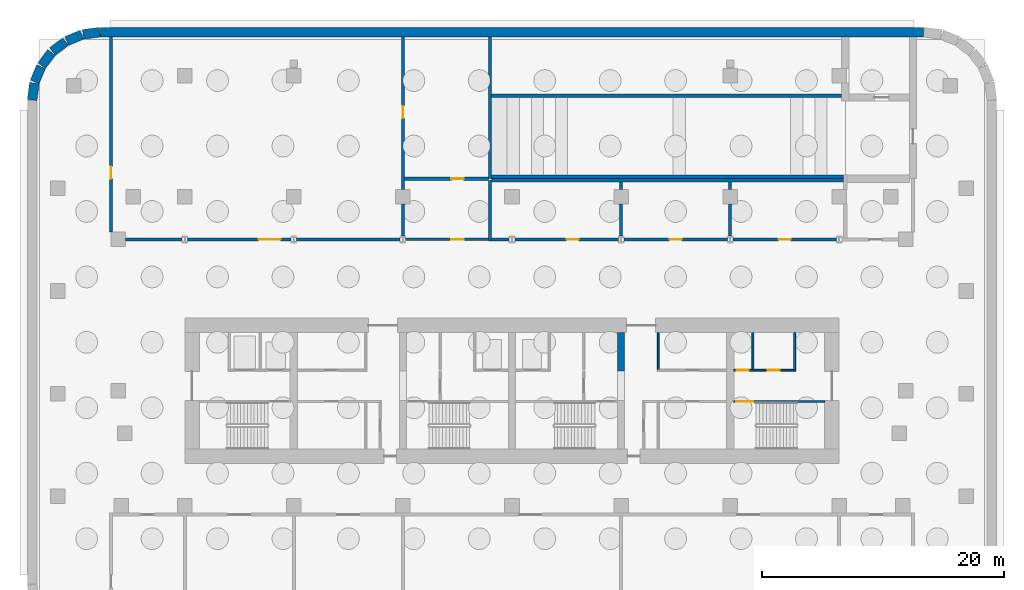
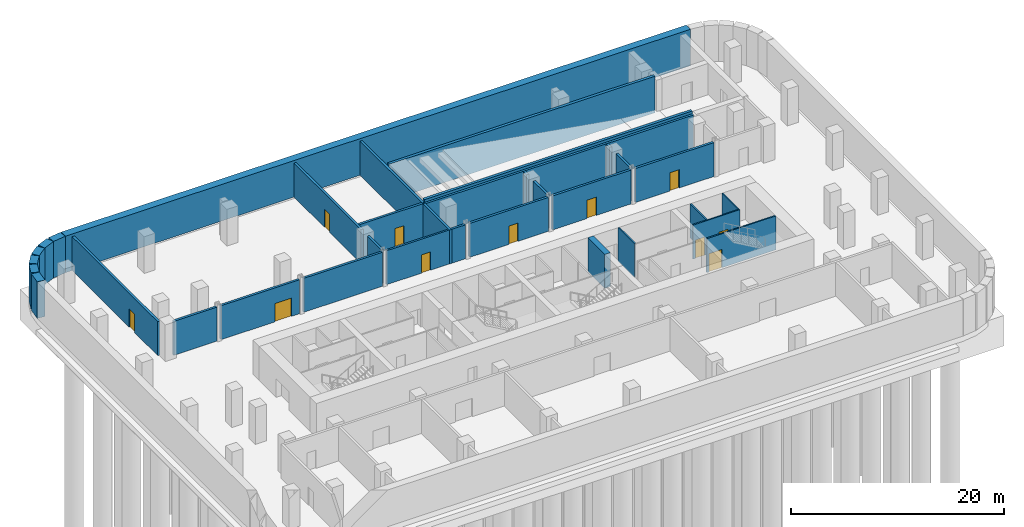
# One storey, part 5 of 8: 34 walls, 11 doors, 11 openings.
"""IFC4 building model written with IfcOpenShell, lengths in metres."""

from ifc_helpers import new_model, si_unit, direction, frame, frame_2d, origin, place, context, subcontext, project, spatial, rectangle, extrude, material, layer, layer_set, type_object, element, fill, save


model = new_model("IFC4")

# Units and contexts
model_context = context("Model", 3, precision=1e-05, world=origin(), true_north=direction((0.0, 1.0)))
body_context = subcontext(model_context, "Body", "Model", "MODEL_VIEW")
ifc_project = project(units=[si_unit("LENGTHUNIT", "METRE"), si_unit("AREAUNIT", "SQUARE_METRE"), si_unit("VOLUMEUNIT", "CUBIC_METRE"), si_unit("PLANEANGLEUNIT", "RADIAN"), si_unit("MASSUNIT", "GRAM", prefix="KILO")], contexts=[model_context])

# Site, building, storey
site_placement = place(None, origin())
site = spatial("IfcSite", under=ifc_project, at=site_placement, CompositionType="ELEMENT")
building_placement = place(site_placement, origin())
building = spatial("IfcBuilding", under=site, at=building_placement, Name="Zellij Exchange Tower", CompositionType="ELEMENT")
storey_placement = place(building_placement, frame((0.0, 0.0, -12.60009765625)))
storey = spatial("IfcBuildingStorey", under=building, at=storey_placement, Name="B3", CompositionType="ELEMENT", Elevation=-12.60009765625)

# Walls
ifc_material_1 = material(Name="Concrete C40/50", Category="concrete")
ifc_layer_1 = layer(ifc_material_1, 0.300048828125)
ifc_layer_set_1 = layer_set([ifc_layer_1], Name="Concrete C40/50")
wall_type_1 = type_object("IfcWallType", Name="BSM-Ramp wall 300", PredefinedType="SOLIDWALL", material=ifc_layer_set_1)
wall_1_placement = place(storey_placement, frame((-1.699951171875, 9.64990234375, 0.0), z_axis=(0.0, 0.0, 1.0), x_axis=(1.0, 0.0, 0.0)))
element("IfcWall", 1, at=wall_1_placement, inside=storey, type_object=wall_type_1, Name="Car park ramp side wall", PredefinedType="SOLIDWALL", context=body_context, shape_type="SweptSolid", body=[
    extrude(rectangle(XDim=29.074951171875, YDim=0.300048828125, at=frame_2d((14.53759765625, 0.0))), origin(), (0.0, 0.0, 1.0), 4.2001953125),
])
wall_2_placement = place(storey_placement, frame((-1.699951171875, 16.35009765625, 0.0), z_axis=(0.0, 0.0, 1.0), x_axis=(1.0, 0.0, 0.0)))
element("IfcWall", 2, at=wall_2_placement, inside=storey, type_object=wall_type_1, Name="Car park ramp side wall", PredefinedType="SOLIDWALL", context=body_context, shape_type="SweptSolid", body=[
    extrude(rectangle(XDim=28.89990234375, YDim=0.300048828125, at=frame_2d((14.449951171875, 0.0))), origin(), (0.0, 0.0, 1.0), 4.2001953125),
])

# Wall, opening, door
ifc_material_2 = material(Name="Concrete C32/40", Category="concrete")
ifc_layer_2 = layer(ifc_material_2, 0.199951171875)
ifc_layer_set_2 = layer_set([ifc_layer_2], Name="Concrete C32/40")
wall_type_2 = type_object("IfcWallType", Name="BSM-Wall 200", PredefinedType="PARTITIONING", material=ifc_layer_set_2)
wall_3_placement = place(storey_placement, frame((-8.772705078125, 4.5, 0.0), z_axis=(0.0, 0.0, 1.0), x_axis=(1.0, 0.0, 0.0)))
wall_3 = element("IfcWall", 3, at=wall_3_placement, inside=storey, type_object=wall_type_2, Name="Partition 5", PredefinedType="PARTITIONING", context=body_context, shape_type="SweptSolid", body=[
    extrude(rectangle(XDim=6.82275390625, YDim=0.199951171875, at=frame_2d((3.411376953125, 0.0))), origin(), (0.0, 0.0, 1.0), 3.900146484375),
])
opening_1_placement = place(wall_3_placement, frame((3.772705078125, 0.0, 0.0)))
opening_1 = element("IfcOpeningElement", 4, at=opening_1_placement, cuts=wall_3, Name="Opening BS3.08", PredefinedType="OPENING", context=body_context, shape_type="SweptSolid", body=[
    extrude(rectangle(XDim=1.0, YDim=2.10009765625, at=frame_2d((0.5, 1.050048828125))), frame((0.0, 0.11181640625, 0.0), z_axis=(0.0, -1.0, 0.0), x_axis=(1.0, 0.0, 0.0)), (0.0, 0.0, 1.0), 0.223876953125),
])
ifc_material_3 = material(Name="Painted steel door leaf", Category="steel")
door_type_1 = type_object("IfcDoorType", Name="BSM-Door 1000x2100 FD60", OperationType="SINGLE_SWING_LEFT", PredefinedType="DOOR", material=ifc_material_3)
door_1_placement = place(opening_1_placement, origin())
door_1 = element("IfcDoor", 5, at=door_1_placement, inside=storey, type_object=door_type_1, Name="bsm.B3.door.BS3.08", OperationType="SINGLE_SWING_RIGHT", OverallHeight=2.10009765625, OverallWidth=1.0, PredefinedType="DOOR", context=body_context, shape_type="SweptSolid", body=[
    extrude(rectangle(XDim=1.0, YDim=2.10009765625, at=frame_2d((0.5, 1.050048828125))), frame((0.0, 0.02490234375, 0.0), z_axis=(0.0, -1.0, 0.0), x_axis=(1.0, 0.0, 0.0)), (0.0, 0.0, 1.0), 0.050048828125),
])
fill(opening_1, door_1)

# Wall
ifc_layer_3 = layer(ifc_material_2, 0.25)
ifc_layer_set_3 = layer_set([ifc_layer_3], Name="Concrete C32/40")
wall_type_3 = type_object("IfcWallType", Name="BSM-Wall 250", PredefinedType="SOLIDWALL", material=ifc_layer_set_3)
wall_4_placement = place(storey_placement, frame((-31.89990234375, 4.5, 0.0), z_axis=(0.0, 0.0, 1.0), x_axis=(1.0, 0.0, 0.0)))
element("IfcWall", 6, at=wall_4_placement, inside=storey, type_object=wall_type_3, Name="Partition 2", PredefinedType="SOLIDWALL", context=body_context, shape_type="SweptSolid", body=[
    extrude(rectangle(XDim=4.672607421875, YDim=0.25, at=frame_2d((2.33642578125, 0.0))), origin(), (0.0, 0.0, 1.0), 3.900146484375),
])

# Wall, opening, door
wall_5_placement = place(storey_placement, frame((-26.772705078125, 4.5, 0.0), z_axis=(0.0, 0.0, 1.0), x_axis=(1.0, 0.0, 0.0)))
wall_5 = element("IfcWall", 7, at=wall_5_placement, inside=storey, type_object=wall_type_3, Name="Partition 3", PredefinedType="SOLIDWALL", context=body_context, shape_type="SweptSolid", body=[
    extrude(rectangle(XDim=8.54541015625, YDim=0.25, at=frame_2d((4.272705078125, 0.0))), origin(), (0.0, 0.0, 1.0), 3.900146484375),
])
opening_2_placement = place(wall_5_placement, frame((5.872802734375, 0.0, 0.0)))
opening_2 = element("IfcOpeningElement", 8, at=opening_2_placement, cuts=wall_5, Name="Opening BS3.07", PredefinedType="OPENING", context=body_context, shape_type="SweptSolid", body=[
    extrude(rectangle(XDim=1.800048828125, YDim=2.10009765625, at=frame_2d((0.89990234375, 1.050048828125))), frame((0.0, 0.136962890625, 0.0), z_axis=(0.0, -1.0, 0.0), x_axis=(1.0, 0.0, 0.0)), (0.0, 0.0, 1.0), 0.27392578125),
])
door_type_2 = type_object("IfcDoorType", Name="BSM-Double door 1800x2100 FD90", OperationType="DOUBLE_DOOR_SINGLE_SWING", PredefinedType="DOOR", material=ifc_material_3)
door_2_placement = place(opening_2_placement, origin())
door_2 = element("IfcDoor", 9, at=door_2_placement, inside=storey, type_object=door_type_2, Name="bsm.B3.door.BS3.07", OperationType="DOUBLE_DOOR_SINGLE_SWING", OverallHeight=2.10009765625, OverallWidth=1.800048828125, PredefinedType="DOOR", context=body_context, shape_type="SweptSolid", body=[
    extrude(rectangle(XDim=1.800048828125, YDim=2.10009765625, at=frame_2d((0.89990234375, 1.050048828125))), frame((0.0, 0.02490234375, 0.0), z_axis=(0.0, -1.0, 0.0), x_axis=(1.0, 0.0, 0.0)), (0.0, 0.0, 1.0), 0.050048828125),
])
fill(opening_2, door_2)

# Walls
wall_6_placement = place(storey_placement, frame((-17.772705078125, 4.5, 0.0), z_axis=(0.0, 0.0, 1.0), x_axis=(1.0, 0.0, 0.0)))
element("IfcWall", 10, at=wall_6_placement, inside=storey, type_object=wall_type_3, Name="Partition 4", PredefinedType="SOLIDWALL", context=body_context, shape_type="SweptSolid", body=[
    extrude(rectangle(XDim=8.54541015625, YDim=0.25, at=frame_2d((4.272705078125, 0.0))), origin(), (0.0, 0.0, 1.0), 3.900146484375),
])
wall_7_placement = place(storey_placement, frame((-1.699951171875, 4.5, 0.0), z_axis=(0.0, 0.0, 1.0), x_axis=(1.0, 0.0, 0.0)))
element("IfcWall", 11, at=wall_7_placement, inside=storey, type_object=wall_type_3, Name="Partition 6", PredefinedType="SOLIDWALL", context=body_context, shape_type="SweptSolid", body=[
    extrude(rectangle(XDim=1.47265625, YDim=0.25, at=frame_2d((0.736328125, 0.0))), origin(), (0.0, 0.0, 1.0), 3.900146484375),
])

# Wall, opening, door
wall_8_placement = place(storey_placement, frame((0.227294921875, 4.5, 0.0), z_axis=(0.0, 0.0, 1.0), x_axis=(1.0, 0.0, 0.0)))
wall_8 = element("IfcWall", 12, at=wall_8_placement, inside=storey, type_object=wall_type_3, Name="Partition 7", PredefinedType="SOLIDWALL", context=body_context, shape_type="SweptSolid", body=[
    extrude(rectangle(XDim=8.54541015625, YDim=0.25, at=frame_2d((4.272705078125, 0.0))), origin(), (0.0, 0.0, 1.0), 3.900146484375),
])
opening_3_placement = place(wall_8_placement, frame((4.272705078125, 0.0, 0.0)))
opening_3 = element("IfcOpeningElement", 13, at=opening_3_placement, cuts=wall_8, Name="Opening BS3.09", PredefinedType="OPENING", context=body_context, shape_type="SweptSolid", body=[
    extrude(rectangle(XDim=1.0, YDim=2.10009765625, at=frame_2d((0.5, 1.050048828125))), frame((0.0, 0.136962890625, 0.0), z_axis=(0.0, -1.0, 0.0), x_axis=(1.0, 0.0, 0.0)), (0.0, 0.0, 1.0), 0.27392578125),
])
door_type_3 = type_object("IfcDoorType", Name="BSM-Door 1000x2100 FD90", OperationType="SINGLE_SWING_LEFT", PredefinedType="DOOR", material=ifc_material_3)
door_3_placement = place(opening_3_placement, origin())
door_3 = element("IfcDoor", 14, at=door_3_placement, inside=storey, type_object=door_type_3, Name="bsm.B3.door.BS3.09", OperationType="SINGLE_SWING_RIGHT", OverallHeight=2.10009765625, OverallWidth=1.0, PredefinedType="DOOR", context=body_context, shape_type="SweptSolid", body=[
    extrude(rectangle(XDim=1.0, YDim=2.10009765625, at=frame_2d((0.5, 1.050048828125))), frame((0.0, 0.02490234375, 0.0), z_axis=(0.0, -1.0, 0.0), x_axis=(1.0, 0.0, 0.0)), (0.0, 0.0, 1.0), 0.050048828125),
])
fill(opening_3, door_3)

wall_9_placement = place(storey_placement, frame((9.227294921875, 4.5, 0.0), z_axis=(0.0, 0.0, 1.0), x_axis=(1.0, 0.0, 0.0)))
wall_9 = element("IfcWall", 15, at=wall_9_placement, inside=storey, type_object=wall_type_3, Name="Partition 8", PredefinedType="SOLIDWALL", context=body_context, shape_type="SweptSolid", body=[
    extrude(rectangle(XDim=8.54541015625, YDim=0.25, at=frame_2d((4.272705078125, 0.0))), origin(), (0.0, 0.0, 1.0), 3.900146484375),
])
opening_4_placement = place(wall_9_placement, frame((3.772705078125, 0.0, 0.0)))
opening_4 = element("IfcOpeningElement", 16, at=opening_4_placement, cuts=wall_9, Name="Opening BS3.10", PredefinedType="OPENING", context=body_context, shape_type="SweptSolid", body=[
    extrude(rectangle(XDim=1.0, YDim=2.10009765625, at=frame_2d((0.5, 1.050048828125))), frame((0.0, 0.136962890625, 0.0), z_axis=(0.0, -1.0, 0.0), x_axis=(1.0, 0.0, 0.0)), (0.0, 0.0, 1.0), 0.27392578125),
])
door_4_placement = place(opening_4_placement, origin())
door_4 = element("IfcDoor", 17, at=door_4_placement, inside=storey, type_object=door_type_3, Name="bsm.B3.door.BS3.10", OperationType="SINGLE_SWING_LEFT", OverallHeight=2.10009765625, OverallWidth=1.0, PredefinedType="DOOR", context=body_context, shape_type="SweptSolid", body=[
    extrude(rectangle(XDim=1.0, YDim=2.10009765625, at=frame_2d((0.5, 1.050048828125))), frame((0.0, 0.02490234375, 0.0), z_axis=(0.0, -1.0, 0.0), x_axis=(1.0, 0.0, 0.0)), (0.0, 0.0, 1.0), 0.050048828125),
])
fill(opening_4, door_4)

wall_10_placement = place(storey_placement, frame((18.227294921875, 4.5, 0.0), z_axis=(0.0, 0.0, 1.0), x_axis=(1.0, 0.0, 0.0)))
wall_10 = element("IfcWall", 18, at=wall_10_placement, inside=storey, type_object=wall_type_3, Name="Partition 9", PredefinedType="SOLIDWALL", context=body_context, shape_type="SweptSolid", body=[
    extrude(rectangle(XDim=8.54541015625, YDim=0.25, at=frame_2d((4.272705078125, 0.0))), origin(), (0.0, 0.0, 1.0), 3.900146484375),
])
opening_5_placement = place(wall_10_placement, frame((3.772705078125, 0.0, 0.0)))
opening_5 = element("IfcOpeningElement", 19, at=opening_5_placement, cuts=wall_10, Name="Opening BS3.11", PredefinedType="OPENING", context=body_context, shape_type="SweptSolid", body=[
    extrude(rectangle(XDim=1.0, YDim=2.10009765625, at=frame_2d((0.5, 1.050048828125))), frame((0.0, 0.136962890625, 0.0), z_axis=(0.0, -1.0, 0.0), x_axis=(1.0, 0.0, 0.0)), (0.0, 0.0, 1.0), 0.27392578125),
])
door_5_placement = place(opening_5_placement, origin())
door_5 = element("IfcDoor", 20, at=door_5_placement, inside=storey, type_object=door_type_3, Name="bsm.B3.door.BS3.11", OperationType="SINGLE_SWING_LEFT", OverallHeight=2.10009765625, OverallWidth=1.0, PredefinedType="DOOR", context=body_context, shape_type="SweptSolid", body=[
    extrude(rectangle(XDim=1.0, YDim=2.10009765625, at=frame_2d((0.5, 1.050048828125))), frame((0.0, 0.02490234375, 0.0), z_axis=(0.0, -1.0, 0.0), x_axis=(1.0, 0.0, 0.0)), (0.0, 0.0, 1.0), 0.050048828125),
])
fill(opening_5, door_5)

# Wall
wall_11_placement = place(storey_placement, frame((-1.699951171875, 9.375, 0.0), z_axis=(0.0, 0.0, 1.0), x_axis=(1.0, 0.0, 0.0)))
element("IfcWall", 21, at=wall_11_placement, inside=storey, type_object=wall_type_3, Name="Partition 11", PredefinedType="SOLIDWALL", context=body_context, shape_type="SweptSolid", body=[
    extrude(rectangle(XDim=29.074951171875, YDim=0.25, at=frame_2d((14.53759765625, 0.0))), origin(), (0.0, 0.0, 1.0), 3.900146484375),
])

# Wall, opening, door
wall_12_placement = place(storey_placement, frame((-8.875, 9.5, 0.0), z_axis=(0.0, 0.0, 1.0), x_axis=(1.0, 0.0, 0.0)))
wall_12 = element("IfcWall", 22, at=wall_12_placement, inside=storey, type_object=wall_type_3, Name="Partition 12", PredefinedType="SOLIDWALL", context=body_context, shape_type="SweptSolid", body=[
    extrude(rectangle(XDim=6.925048828125, YDim=0.25, at=frame_2d((3.46240234375, 0.0))), origin(), (0.0, 0.0, 1.0), 3.900146484375),
])
opening_6_placement = place(wall_12_placement, frame((3.875, 0.0, 0.0)))
opening_6 = element("IfcOpeningElement", 23, at=opening_6_placement, cuts=wall_12, Name="Opening BS3.13", PredefinedType="OPENING", context=body_context, shape_type="SweptSolid", body=[
    extrude(rectangle(XDim=1.0, YDim=2.10009765625, at=frame_2d((0.5, 1.050048828125))), frame((0.0, 0.136962890625, 0.0), z_axis=(0.0, -1.0, 0.0), x_axis=(1.0, 0.0, 0.0)), (0.0, 0.0, 1.0), 0.27392578125),
])
door_6_placement = place(opening_6_placement, origin())
door_6 = element("IfcDoor", 24, at=door_6_placement, inside=storey, type_object=door_type_1, Name="bsm.B3.door.BS3.13", OperationType="SINGLE_SWING_RIGHT", OverallHeight=2.10009765625, OverallWidth=1.0, PredefinedType="DOOR", context=body_context, shape_type="SweptSolid", body=[
    extrude(rectangle(XDim=1.0, YDim=2.10009765625, at=frame_2d((0.5, 1.050048828125))), frame((0.0, 0.02490234375, 0.0), z_axis=(0.0, -1.0, 0.0), x_axis=(1.0, 0.0, 0.0)), (0.0, 0.0, 1.0), 0.050048828125),
])
fill(opening_6, door_6)

wall_13_placement = place(storey_placement, frame((-33.10009765625, 5.10009765625, 0.0), z_axis=(0.0, 0.0, 1.0), x_axis=(0.0, 1.0, 0.0)))
wall_13 = element("IfcWall", 25, at=wall_13_placement, inside=storey, type_object=wall_type_3, Name="Partition 16", PredefinedType="SOLIDWALL", context=body_context, shape_type="SweptSolid", body=[
    extrude(rectangle(XDim=16.099853515625, YDim=0.25, at=frame_2d((8.0498046875, 0.0))), origin(), (0.0, 0.0, 1.0), 3.900146484375),
])
opening_7_placement = place(wall_13_placement, frame((4.39990234375, 0.0, 0.0)))
opening_7 = element("IfcOpeningElement", 26, at=opening_7_placement, cuts=wall_13, Name="Opening BS3.16", PredefinedType="OPENING", context=body_context, shape_type="SweptSolid", body=[
    extrude(rectangle(XDim=1.0, YDim=2.10009765625, at=frame_2d((0.5, 1.050048828125))), frame((0.0, 0.136962890625, 0.0), z_axis=(0.0, -1.0, 0.0), x_axis=(1.0, 0.0, 0.0)), (0.0, 0.0, 1.0), 0.27392578125),
])
door_7_placement = place(opening_7_placement, origin())
door_7 = element("IfcDoor", 27, at=door_7_placement, inside=storey, type_object=door_type_3, Name="bsm.B3.door.BS3.16", OperationType="SINGLE_SWING_LEFT", OverallHeight=2.10009765625, OverallWidth=1.0, PredefinedType="DOOR", context=body_context, shape_type="SweptSolid", body=[
    extrude(rectangle(XDim=1.0, YDim=2.10009765625, at=frame_2d((0.5, 1.050048828125))), frame((0.0, 0.02490234375, 0.0), z_axis=(0.0, -1.0, 0.0), x_axis=(1.0, 0.0, 0.0)), (0.0, 0.0, 1.0), 0.050048828125),
])
fill(opening_7, door_7)

# Wall
wall_14_placement = place(storey_placement, frame((-9.0, 4.784423828125, 0.0), z_axis=(0.0, 0.0, 1.0), x_axis=(0.0, 1.0, 0.0)))
element("IfcWall", 28, at=wall_14_placement, inside=storey, type_object=wall_type_3, Name="Partition 23", PredefinedType="SOLIDWALL", context=body_context, shape_type="SweptSolid", body=[
    extrude(rectangle(XDim=2.615478515625, YDim=0.25, at=frame_2d((1.3076171875, 0.0))), origin(), (0.0, 0.0, 1.0), 3.900146484375),
])

# Wall, opening, door
wall_15_placement = place(storey_placement, frame((-9.0, 8.60009765625, 0.0), z_axis=(0.0, 0.0, 1.0), x_axis=(0.0, 1.0, 0.0)))
wall_15 = element("IfcWall", 29, at=wall_15_placement, inside=storey, type_object=wall_type_3, Name="Partition 24", PredefinedType="SOLIDWALL", context=body_context, shape_type="SweptSolid", body=[
    extrude(rectangle(XDim=12.599853515625, YDim=0.25, at=frame_2d((6.2998046875, 0.0))), origin(), (0.0, 0.0, 1.0), 3.900146484375),
])
opening_8_placement = place(wall_15_placement, frame((5.89990234375, 0.0, 0.0)))
opening_8 = element("IfcOpeningElement", 30, at=opening_8_placement, cuts=wall_15, Name="Opening BS3.17", PredefinedType="OPENING", context=body_context, shape_type="SweptSolid", body=[
    extrude(rectangle(XDim=1.0, YDim=2.10009765625, at=frame_2d((0.5, 1.050048828125))), frame((0.0, 0.136962890625, 0.0), z_axis=(0.0, -1.0, 0.0), x_axis=(1.0, 0.0, 0.0)), (0.0, 0.0, 1.0), 0.27392578125),
])
door_8_placement = place(opening_8_placement, origin())
door_8 = element("IfcDoor", 31, at=door_8_placement, inside=storey, type_object=door_type_3, Name="bsm.B3.door.BS3.17", OperationType="SINGLE_SWING_LEFT", OverallHeight=2.10009765625, OverallWidth=1.0, PredefinedType="DOOR", context=body_context, shape_type="SweptSolid", body=[
    extrude(rectangle(XDim=1.0, YDim=2.10009765625, at=frame_2d((0.5, 1.050048828125))), frame((0.0, 0.02490234375, 0.0), z_axis=(0.0, -1.0, 0.0), x_axis=(1.0, 0.0, 0.0)), (0.0, 0.0, 1.0), 0.050048828125),
])
fill(opening_8, door_8)

# Walls
wall_16_placement = place(storey_placement, frame((-1.824951171875, 4.375, 0.0), z_axis=(0.0, 0.0, 1.0), x_axis=(0.0, 1.0, 0.0)))
element("IfcWall", 32, at=wall_16_placement, inside=storey, type_object=wall_type_3, Name="Partition 25", PredefinedType="SOLIDWALL", context=body_context, shape_type="SweptSolid", body=[
    extrude(rectangle(XDim=5.0, YDim=0.25, at=frame_2d((2.5, 0.0))), origin(), (0.0, 0.0, 1.0), 3.900146484375),
])
wall_17_placement = place(storey_placement, frame((-1.824951171875, 9.5, 0.0), z_axis=(0.0, 0.0, 1.0), x_axis=(0.0, 1.0, 0.0)))
element("IfcWall", 33, at=wall_17_placement, inside=storey, type_object=wall_type_3, Name="Partition 26", PredefinedType="SOLIDWALL", context=body_context, shape_type="SweptSolid", body=[
    extrude(rectangle(XDim=11.699951171875, YDim=0.25, at=frame_2d((5.85009765625, 0.0))), origin(), (0.0, 0.0, 1.0), 3.900146484375),
])
wall_18_placement = place(storey_placement, frame((9.0, 4.784423828125, 0.0), z_axis=(0.0, 0.0, 1.0), x_axis=(0.0, 1.0, 0.0)))
element("IfcWall", 34, at=wall_18_placement, inside=storey, type_object=wall_type_3, Name="Partition 29", PredefinedType="SOLIDWALL", context=body_context, shape_type="SweptSolid", body=[
    extrude(rectangle(XDim=2.615478515625, YDim=0.25, at=frame_2d((1.3076171875, 0.0))), origin(), (0.0, 0.0, 1.0), 3.900146484375),
])
wall_19_placement = place(storey_placement, frame((9.0, 8.60009765625, 0.0), z_axis=(0.0, 0.0, 1.0), x_axis=(0.0, 1.0, 0.0)))
element("IfcWall", 35, at=wall_19_placement, inside=storey, type_object=wall_type_3, Name="Partition 30", PredefinedType="SOLIDWALL", context=body_context, shape_type="SweptSolid", body=[
    extrude(rectangle(XDim=0.64990234375, YDim=0.25, at=frame_2d((0.324951171875, 0.0))), origin(), (0.0, 0.0, 1.0), 3.900146484375),
])
wall_20_placement = place(storey_placement, frame((18.0, 4.784423828125, 0.0), z_axis=(0.0, 0.0, 1.0), x_axis=(0.0, 1.0, 0.0)))
element("IfcWall", 36, at=wall_20_placement, inside=storey, type_object=wall_type_3, Name="Partition 31", PredefinedType="SOLIDWALL", context=body_context, shape_type="SweptSolid", body=[
    extrude(rectangle(XDim=2.615478515625, YDim=0.25, at=frame_2d((1.3076171875, 0.0))), origin(), (0.0, 0.0, 1.0), 3.900146484375),
])
wall_21_placement = place(storey_placement, frame((18.0, 8.60009765625, 0.0), z_axis=(0.0, 0.0, 1.0), x_axis=(0.0, 1.0, 0.0)))
element("IfcWall", 37, at=wall_21_placement, inside=storey, type_object=wall_type_3, Name="Partition 32", PredefinedType="SOLIDWALL", context=body_context, shape_type="SweptSolid", body=[
    extrude(rectangle(XDim=0.64990234375, YDim=0.25, at=frame_2d((0.324951171875, 0.0))), origin(), (0.0, 0.0, 1.0), 3.900146484375),
])
ifc_material_4 = material(Name="Concrete C70/85", Category="concrete")
ifc_layer_4 = layer(ifc_material_4, 0.60009765625)
ifc_layer_set_4 = layer_set([ifc_layer_4], Name="Concrete C70/85")
wall_type_4 = type_object("IfcWallType", Name="CORE-CW 600 C70/85", PredefinedType="SHEAR", material=ifc_layer_set_4)
wall_22_placement = place(storey_placement, frame((9.0, -6.375, 0.0), z_axis=(0.0, 0.0, 1.0), x_axis=(0.0, 1.0, 0.0)))
element("IfcWall", 38, at=wall_22_placement, inside=storey, type_object=wall_type_4, Name="Core cross wall pier x 9 b B3", PredefinedType="SHEAR", context=body_context, shape_type="SweptSolid", body=[
    extrude(rectangle(XDim=3.175048828125, YDim=0.60009765625, at=frame_2d((1.58740234375, 0.0))), origin(), (0.0, 0.0, 1.0), 3.900146484375),
])
ifc_material_5 = material(Name="Gypsum shaft wall system")
ifc_layer_5 = layer(ifc_material_5, 0.14990234375)
ifc_layer_set_5 = layer_set([ifc_layer_5], Name="Gypsum shaft wall system")
wall_type_5 = type_object("IfcWallType", Name="CORE-PW 150 Plant room wall", PredefinedType="PARTITIONING", material=ifc_layer_set_5)
for number, where, z_axis, x_axis, name in (
    (39, (12.074951171875, -6.22509765625, 0.0), (0.0, 0.0, 1.0), (0.0, 1.0, 0.0), "Plant room wall B3"),
    (40, (19.875, -6.22509765625, 0.0), (0.0, 0.0, 1.0), (0.0, 1.0, 0.0), "Plant room wall B3"),
    (41, (23.324951171875, -6.22509765625, 0.0), (0.0, 0.0, 1.0), (0.0, 1.0, 0.0), "Plant room wall B3"),
):
    element("IfcWall", number, at=place(storey_placement, frame(where, z_axis=z_axis, x_axis=x_axis)), inside=storey, type_object=wall_type_5, Name=name, PredefinedType="PARTITIONING", context=body_context, shape_type="SweptSolid", body=[
        extrude(rectangle(XDim=3.025146484375, YDim=0.14990234375, at=frame_2d((1.5126953125, 0.0))), origin(), (0.0, 0.0, 1.0), 3.900146484375),
    ])

# Wall, openings, doors
wall_23_placement = place(storey_placement, frame((18.300048828125, -6.300048828125, 0.0), z_axis=(0.0, 0.0, 1.0), x_axis=(1.0, 0.0, 0.0)))
wall_23 = element("IfcWall", 42, at=wall_23_placement, inside=storey, type_object=wall_type_5, Name="Plant room wall B3", PredefinedType="PARTITIONING", context=body_context, shape_type="SweptSolid", body=[
    extrude(rectangle(XDim=5.099853515625, YDim=0.14990234375, at=frame_2d((2.5498046875, 0.0))), origin(), (0.0, 0.0, 1.0), 3.900146484375),
])
opening_9_placement = place(wall_23_placement, frame((0.25, 0.0, 0.0)))
opening_9 = element("IfcOpeningElement", 43, at=opening_9_placement, cuts=wall_23, Name="Opening CA-01.21", PredefinedType="OPENING", context=body_context, shape_type="SweptSolid", body=[
    extrude(rectangle(XDim=1.0, YDim=2.10009765625, at=frame_2d((0.5, 1.050048828125))), frame((0.0, 0.0869140625, 0.0), z_axis=(0.0, -1.0, 0.0), x_axis=(1.0, 0.0, 0.0)), (0.0, 0.0, 1.0), 0.173828125),
])
opening_10_placement = place(wall_23_placement, frame((2.800048828125, 0.0, 0.0)))
opening_10 = element("IfcOpeningElement", 44, at=opening_10_placement, cuts=wall_23, Name="Opening CA-01.23", PredefinedType="OPENING", context=body_context, shape_type="SweptSolid", body=[
    extrude(rectangle(XDim=1.0, YDim=2.10009765625, at=frame_2d((0.5, 1.050048828125))), frame((0.0, 0.0869140625, 0.0), z_axis=(0.0, -1.0, 0.0), x_axis=(1.0, 0.0, 0.0)), (0.0, 0.0, 1.0), 0.173828125),
])
ifc_material_6 = material(Name="Hollow metal fire door")
door_type_4 = type_object("IfcDoorType", Name="CORE-D CDA Core room door 1000x2100 1.5 HR", OperationType="NOTDEFINED", PredefinedType="DOOR", material=ifc_material_6)
door_9_placement = place(opening_9_placement, origin())
door_9 = element("IfcDoor", 45, at=door_9_placement, inside=storey, type_object=door_type_4, Name="Core room door CA-01.21", OperationType="SINGLE_SWING_LEFT", OverallHeight=2.10009765625, OverallWidth=1.0, PredefinedType="DOOR", context=body_context, shape_type="SweptSolid", body=[
    extrude(rectangle(XDim=1.0, YDim=2.10009765625, at=frame_2d((0.5, 1.050048828125))), frame((0.0, 0.02490234375, 0.0), z_axis=(0.0, -1.0, 0.0), x_axis=(1.0, 0.0, 0.0)), (0.0, 0.0, 1.0), 0.050048828125),
])
fill(opening_9, door_9)
door_10_placement = place(opening_10_placement, origin())
door_10 = element("IfcDoor", 46, at=door_10_placement, inside=storey, type_object=door_type_4, Name="Core room door CA-01.23", OperationType="SINGLE_SWING_RIGHT", OverallHeight=2.10009765625, OverallWidth=1.0, PredefinedType="DOOR", context=body_context, shape_type="SweptSolid", body=[
    extrude(rectangle(XDim=1.0, YDim=2.10009765625, at=frame_2d((0.5, 1.050048828125))), frame((0.0, 0.02490234375, 0.0), z_axis=(0.0, -1.0, 0.0), x_axis=(1.0, 0.0, 0.0)), (0.0, 0.0, 1.0), 0.050048828125),
])
fill(opening_10, door_10)

# Wall, opening, door
ifc_layer_6 = layer(ifc_material_4, 0.14990234375)
ifc_layer_set_6 = layer_set([ifc_layer_6], Name="Concrete C70/85")
wall_type_6 = type_object("IfcWallType", Name="CORE-SWS 150 C70/85", PredefinedType="SHEAR", material=ifc_layer_set_6)
wall_24_placement = place(storey_placement, frame((18.300048828125, -8.875, 0.0), z_axis=(0.0, 0.0, 1.0), x_axis=(1.0, 0.0, 0.0)))
wall_24 = element("IfcWall", 47, at=wall_24_placement, inside=storey, type_object=wall_type_6, Name="Stair enclosure wall B3", PredefinedType="SHEAR", context=body_context, shape_type="SweptSolid", body=[
    extrude(rectangle(XDim=7.5, YDim=0.14990234375, at=frame_2d((3.75, 0.0))), origin(), (0.0, 0.0, 1.0), 3.900146484375),
])
opening_11_placement = place(wall_24_placement, frame((0.22509765625, 0.0, 0.0)))
opening_11 = element("IfcOpeningElement", 48, at=opening_11_placement, cuts=wall_24, Name="Opening CA-01.22", PredefinedType="OPENING", context=body_context, shape_type="SweptSolid", body=[
    extrude(rectangle(XDim=1.39990234375, YDim=2.10009765625, at=frame_2d((0.699951171875, 1.050048828125))), frame((0.0, 0.0869140625, 0.0), z_axis=(0.0, -1.0, 0.0), x_axis=(1.0, 0.0, 0.0)), (0.0, 0.0, 1.0), 0.173828125),
])
door_type_5 = type_object("IfcDoorType", Name="CORE-D SD Stair door 1400x2100 1.5 HR", OperationType="NOTDEFINED", PredefinedType="DOOR", material=ifc_material_6)
door_11_placement = place(opening_11_placement, origin())
door_11 = element("IfcDoor", 49, at=door_11_placement, inside=storey, type_object=door_type_5, Name="Stair door CA-01.22", OperationType="DOUBLE_DOOR_SINGLE_SWING", OverallHeight=2.10009765625, OverallWidth=1.39990234375, PredefinedType="DOOR", context=body_context, shape_type="SweptSolid", body=[
    extrude(rectangle(XDim=1.39990234375, YDim=2.10009765625, at=frame_2d((0.699951171875, 1.050048828125))), frame((0.0, 0.02490234375, 0.0), z_axis=(0.0, -1.0, 0.0), x_axis=(1.0, 0.0, 0.0)), (0.0, 0.0, 1.0), 0.050048828125),
])
fill(opening_11, door_11)

# Walls
ifc_layer_7 = layer(ifc_material_1, 0.800048828125)
ifc_layer_set_7 = layer_set([ifc_layer_7], Name="Concrete C40/50")
wall_type_7 = type_object("IfcWallType", Name="STR-RETAINING WALL 800 C40/50", PredefinedType="SOLIDWALL", material=ifc_layer_set_7)
wall_25_placement = place(storey_placement, frame((-39.5966796875, 15.999755859375, 0.0), z_axis=(0.0, 0.0, 1.0), x_axis=(0.130517283865, 0.99144603414, 0.0)))
element("IfcWall", 50, at=wall_25_placement, inside=storey, type_object=wall_type_7, Name="Retaining wall B3", PredefinedType="SOLIDWALL", context=body_context, shape_type="SweptSolid", body=[
    extrude(rectangle(XDim=1.408447265625, YDim=0.800048828125, at=frame_2d((0.7041015625, 0.0))), origin(), (0.0, 0.0, 1.0), 4.2001953125),
])
for number, where, z_axis, x_axis, name in (
    (51, (-39.3857421875, 17.497314453125, 0.0), (0.0, 0.0, 1.0), (0.38276009378, 0.923847774587, 0.0), "Retaining wall B3"),
    (52, (-38.814697265625, 18.840087890625, 0.0), (0.0, 0.0, 1.0), (0.608752883708, 0.793359897258, 0.0), "Retaining wall B3"),
    (53, (-37.91552734375, 19.989501953125, 0.0), (0.0, 0.0, 1.0), (0.793359897258, 0.608752883708, 0.0), "Retaining wall B3"),
    (54, (-36.74951171875, 20.866943359375, 0.0), (0.0, 0.0, 1.0), (0.923847774587, 0.38276009378, 0.0), "Retaining wall B3"),
):
    element("IfcWall", number, at=place(storey_placement, frame(where, z_axis=z_axis, x_axis=x_axis)), inside=storey, type_object=wall_type_7, Name=name, PredefinedType="SOLIDWALL", context=body_context, shape_type="SweptSolid", body=[
        extrude(rectangle(XDim=1.35546875, YDim=0.800048828125, at=frame_2d((0.677734375, 0.0))), origin(), (0.0, 0.0, 1.0), 4.2001953125),
    ])
wall_26_placement = place(storey_placement, frame((-35.396240234375, 21.412841796875, 0.0), z_axis=(0.0, 0.0, 1.0), x_axis=(0.99144603414, 0.130517283865, 0.0)))
element("IfcWall", 55, at=wall_26_placement, inside=storey, type_object=wall_type_7, Name="Retaining wall B3", PredefinedType="SOLIDWALL", context=body_context, shape_type="SweptSolid", body=[
    extrude(rectangle(XDim=1.408447265625, YDim=0.800048828125, at=frame_2d((0.7041015625, 0.0))), origin(), (0.0, 0.0, 1.0), 4.2001953125),
])
wall_27_placement = place(storey_placement, frame((-33.947509765625, 21.60009765625, 0.0), z_axis=(0.0, 0.0, 1.0), x_axis=(1.0, 0.0, 0.0)))
element("IfcWall", 56, at=wall_27_placement, inside=storey, type_object=wall_type_7, Name="Retaining wall B3", PredefinedType="SOLIDWALL", context=body_context, shape_type="SweptSolid", body=[
    extrude(rectangle(XDim=67.89501953125, YDim=0.800048828125, at=frame_2d((33.947509765625, 0.0))), origin(), (0.0, 0.0, 1.0), 4.2001953125),
])

save(model, "model.ifc")
